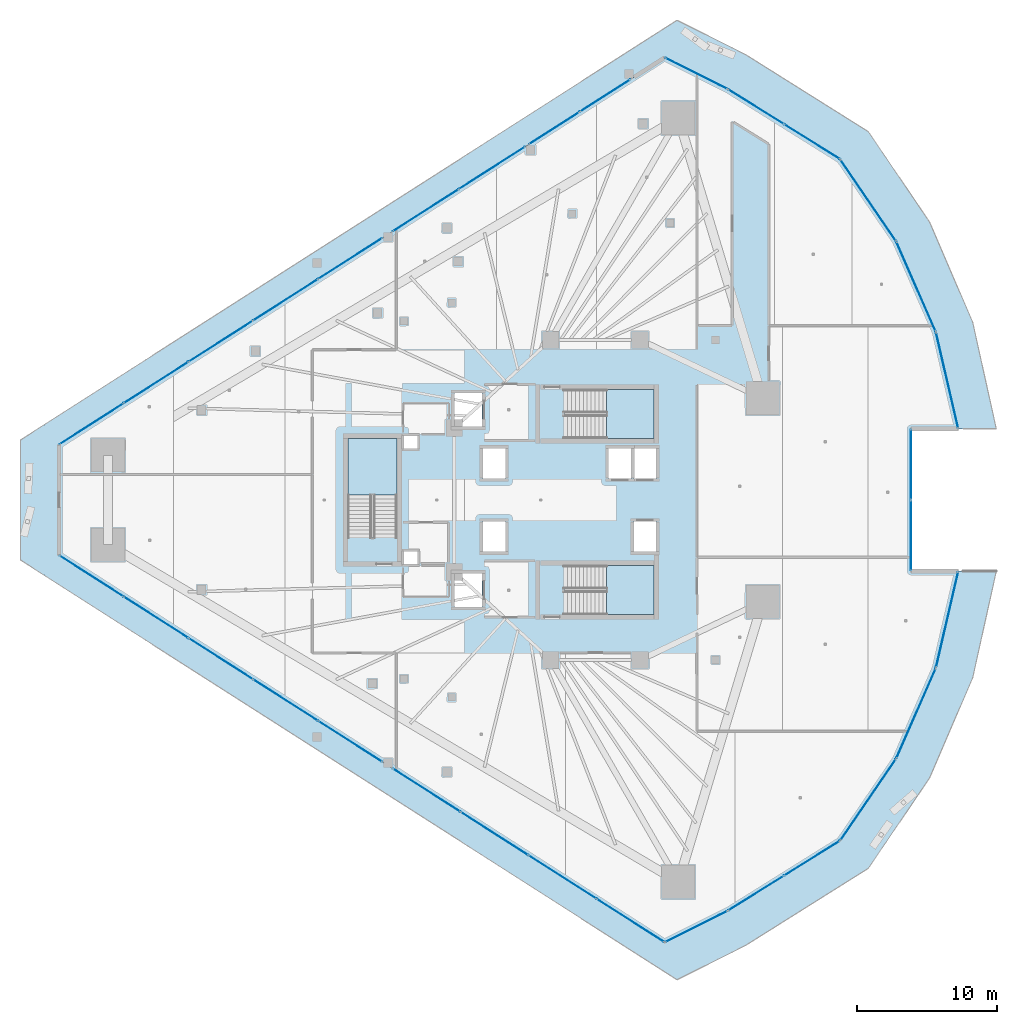
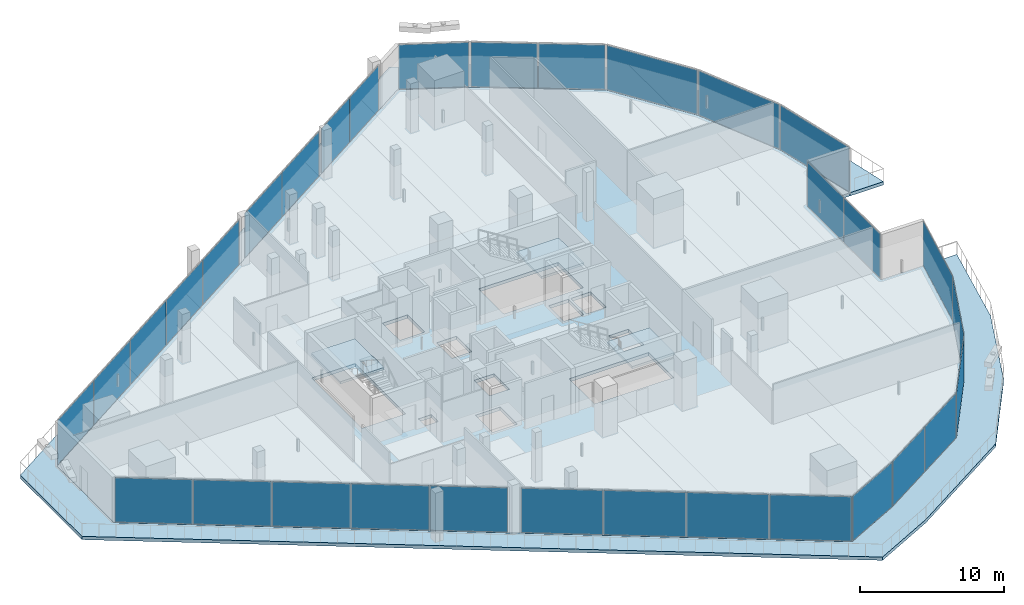
# One storey, part 28 of 45: 32 plates, 5 slabs, 19 elements without a shape of their own.
"""IFC4 building model written with IfcOpenShell, lengths in metres."""

from ifc_helpers import new_model, si_unit, direction, frame, origin, origin_2d, place, context, subcontext, project, spatial, polyline, rectangle, outline, extrude, material, layer, layer_set, type_object, element, aggregate, save


model = new_model("IFC4")

# Units and contexts
model_context = context("Model", 3, precision=1e-05, world=origin(), true_north=direction((0.0, 1.0)))
body_context = subcontext(model_context, "Body", "Model", "MODEL_VIEW")
ifc_project = project(units=[si_unit("LENGTHUNIT", "METRE"), si_unit("AREAUNIT", "SQUARE_METRE"), si_unit("VOLUMEUNIT", "CUBIC_METRE"), si_unit("PLANEANGLEUNIT", "RADIAN"), si_unit("MASSUNIT", "GRAM", prefix="KILO")], contexts=[model_context])

# Site, building, storey
site_placement = place(None, origin())
site = spatial("IfcSite", under=ifc_project, at=site_placement, CompositionType="ELEMENT")
building_placement = place(site_placement, origin())
building = spatial("IfcBuilding", under=site, at=building_placement, Name="Qorvath Tower", CompositionType="ELEMENT")
storey_placement = place(building_placement, frame((0.0, 0.0, 95.39990234375)))
storey = spatial("IfcBuildingStorey", under=building, at=storey_placement, Name="L21", CompositionType="ELEMENT", Elevation=95.39990234375)

# Curtain wall, plates
ifc_material_1 = material(Name="Anodised aluminium and triple low-E glass", Category="aluminium")
ifc_layer_1 = layer(ifc_material_1, 0.179931640625)
ifc_layer_set_1 = layer_set([ifc_layer_1], Name="CW-SYS-2")
curtain_wall_type = type_object("IfcCurtainWallType", Name="CW-SYS-2", PredefinedType="NOTDEFINED", material=ifc_layer_set_1)
curtain_wall_1_placement = place(storey_placement, origin())
curtain_wall_1 = element("IfcCurtainWall", 1, at=curtain_wall_1_placement, inside=storey, type_object=curtain_wall_type, Name="Curtain Wall CW-2 CW-T-L21-2.1", PredefinedType="NOTDEFINED")
ifc_material_2 = material(Name="Low-E triple insulated glass", Category="glass")
ifc_layer_2 = layer(ifc_material_2, 0.031982421875)
ifc_layer_set_2 = layer_set([ifc_layer_2], Name="CWP-GLZ-32")
plate_type = type_object("IfcPlateType", Name="CWP-GLZ-32", PredefinedType="CURTAIN_PANEL", material=ifc_layer_set_2)
plate_1_placement = place(storey_placement, frame((-56.46240234375, -5.447509765625, 0.06494140625), z_axis=(0.0, 0.0, 1.0), x_axis=(0.842606791309, -0.53852928912, 0.0)))
plate_1 = element("IfcPlate", 2, at=plate_1_placement, type_object=plate_type, Name="CW-2 panel 1.1", PredefinedType="CURTAIN_PANEL", context=body_context, shape_type="SweptSolid", body=[
    extrude(rectangle(XDim=5.402587890625, YDim=0.031982421875, at=origin_2d()), origin(), (0.0, 0.0, 1.0), 3.77001953125),
])
plate_2_placement = place(storey_placement, frame((-51.841796875, -8.400634765625, 0.06494140625), z_axis=(0.0, 0.0, 1.0), x_axis=(0.842606791309, -0.53852928912, 0.0)))
plate_2 = element("IfcPlate", 3, at=plate_2_placement, type_object=plate_type, Name="CW-2 panel 2.1", PredefinedType="CURTAIN_PANEL", context=body_context, shape_type="SweptSolid", body=[
    extrude(rectangle(XDim=5.43505859375, YDim=0.031982421875, at=origin_2d()), origin(), (0.0, 0.0, 1.0), 3.77001953125),
])
plate_3_placement = place(storey_placement, frame((-47.20751953125, -11.362548828125, 0.06494140625), z_axis=(0.0, 0.0, 1.0), x_axis=(0.842606791309, -0.53852928912, 0.0)))
plate_3 = element("IfcPlate", 4, at=plate_3_placement, type_object=plate_type, Name="CW-2 panel 3.1", PredefinedType="CURTAIN_PANEL", context=body_context, shape_type="SweptSolid", body=[
    extrude(rectangle(XDim=5.43505859375, YDim=0.031982421875, at=origin_2d()), origin(), (0.0, 0.0, 1.0), 3.77001953125),
])
plate_4_placement = place(storey_placement, frame((-42.572998046875, -14.324462890625, 0.06494140625), z_axis=(0.0, 0.0, 1.0), x_axis=(0.842606791309, -0.53852928912, 0.0)))
plate_4 = element("IfcPlate", 5, at=plate_4_placement, type_object=plate_type, Name="CW-2 panel 4.1", PredefinedType="CURTAIN_PANEL", context=body_context, shape_type="SweptSolid", body=[
    extrude(rectangle(XDim=5.43505859375, YDim=0.031982421875, at=origin_2d()), origin(), (0.0, 0.0, 1.0), 3.77001953125),
])
plate_5_placement = place(storey_placement, frame((-37.952392578125, -17.277587890625, 0.06494140625), z_axis=(0.0, 0.0, 1.0), x_axis=(0.842606791309, -0.53852928912, 0.0)))
plate_5 = element("IfcPlate", 6, at=plate_5_placement, type_object=plate_type, Name="CW-2 panel 5.1", PredefinedType="CURTAIN_PANEL", context=body_context, shape_type="SweptSolid", body=[
    extrude(rectangle(XDim=5.402587890625, YDim=0.031982421875, at=origin_2d()), origin(), (0.0, 0.0, 1.0), 3.77001953125),
])
aggregate(curtain_wall_1, [plate_1, plate_2, plate_3, plate_4, plate_5])

curtain_wall_2_placement = place(storey_placement, origin())
curtain_wall_2 = element("IfcCurtainWall", 7, at=curtain_wall_2_placement, inside=storey, type_object=curtain_wall_type, Name="Curtain Wall CW-2 CW-T-L21-2.2", PredefinedType="NOTDEFINED")
plate_6_placement = place(storey_placement, frame((-32.49462890625, -20.765869140625, 0.06494140625), z_axis=(0.0, 0.0, 1.0), x_axis=(0.842600838238, -0.538538603445, 0.0)))
plate_6 = element("IfcPlate", 8, at=plate_6_placement, type_object=plate_type, Name="CW-2 panel 1.1", PredefinedType="CURTAIN_PANEL", context=body_context, shape_type="SweptSolid", body=[
    extrude(rectangle(XDim=5.688232421875, YDim=0.031982421875, at=origin_2d()), origin(), (0.0, 0.0, 1.0), 3.77001953125),
])
plate_7_placement = place(storey_placement, frame((-27.63330078125, -23.872802734375, 0.06494140625), z_axis=(0.0, 0.0, 1.0), x_axis=(0.842600838238, -0.538538603445, 0.0)))
plate_7 = element("IfcPlate", 9, at=plate_7_placement, type_object=plate_type, Name="CW-2 panel 2.1", PredefinedType="CURTAIN_PANEL", context=body_context, shape_type="SweptSolid", body=[
    extrude(rectangle(XDim=5.720703125, YDim=0.031982421875, at=origin_2d()), origin(), (0.0, 0.0, 1.0), 3.77001953125),
])
plate_8_placement = place(storey_placement, frame((-22.75830078125, -26.98876953125, 0.06494140625), z_axis=(0.0, 0.0, 1.0), x_axis=(0.842600838238, -0.538538603445, 0.0)))
plate_8 = element("IfcPlate", 10, at=plate_8_placement, type_object=plate_type, Name="CW-2 panel 3.1", PredefinedType="CURTAIN_PANEL", context=body_context, shape_type="SweptSolid", body=[
    extrude(rectangle(XDim=5.720703125, YDim=0.031982421875, at=origin_2d()), origin(), (0.0, 0.0, 1.0), 3.77001953125),
])
plate_9_placement = place(storey_placement, frame((-17.89697265625, -30.095703125, 0.06494140625), z_axis=(0.0, 0.0, 1.0), x_axis=(0.842600838238, -0.538538603445, 0.0)))
plate_9 = element("IfcPlate", 11, at=plate_9_placement, type_object=plate_type, Name="CW-2 panel 4.1", PredefinedType="CURTAIN_PANEL", context=body_context, shape_type="SweptSolid", body=[
    extrude(rectangle(XDim=5.688232421875, YDim=0.031982421875, at=origin_2d()), origin(), (0.0, 0.0, 1.0), 3.77001953125),
])
aggregate(curtain_wall_2, [plate_6, plate_7, plate_8, plate_9])

# Curtain wall, plate
curtain_wall_3_placement = place(storey_placement, origin())
curtain_wall_3 = element("IfcCurtainWall", 12, at=curtain_wall_3_placement, inside=storey, type_object=curtain_wall_type, Name="Curtain Wall CW-2 CW-T-L21-3.1", PredefinedType="NOTDEFINED")
plate_10_placement = place(storey_placement, frame((-13.18408203125, -30.531494140625, 0.06494140625), z_axis=(0.0, 0.0, 1.0), x_axis=(0.894411371347, 0.447245233408, 0.0)))
plate_10 = element("IfcPlate", 13, at=plate_10_placement, type_object=plate_type, Name="CW-2 panel 1.1", PredefinedType="CURTAIN_PANEL", context=body_context, shape_type="SweptSolid", body=[
    extrude(rectangle(XDim=4.92724609375, YDim=0.031982421875, at=origin_2d()), origin(), (0.0, 0.0, 1.0), 3.77001953125),
])
aggregate(curtain_wall_3, [plate_10])

# Curtain wall, plates
curtain_wall_4_placement = place(storey_placement, origin())
curtain_wall_4 = element("IfcCurtainWall", 14, at=curtain_wall_4_placement, inside=storey, type_object=curtain_wall_type, Name="Curtain Wall CW-2 CW-T-L21-4.1", PredefinedType="NOTDEFINED")
plate_11_placement = place(storey_placement, frame((-8.898681640625, -28.136962890625, 0.06494140625), z_axis=(0.0, 0.0, 1.0), x_axis=(0.848250097573, 0.529595857203, 0.0)))
plate_11 = element("IfcPlate", 15, at=plate_11_placement, type_object=plate_type, Name="CW-2 panel 1.1", PredefinedType="CURTAIN_PANEL", context=body_context, shape_type="SweptSolid", body=[
    extrude(rectangle(XDim=4.641845703125, YDim=0.031982421875, at=origin_2d()), origin(), (0.0, 0.0, 1.0), 3.77001953125),
])
plate_12_placement = place(storey_placement, frame((-4.906005859375, -25.644287109375, 0.06494140625), z_axis=(0.0, 0.0, 1.0), x_axis=(0.848250097573, 0.529595857203, 0.0)))
plate_12 = element("IfcPlate", 16, at=plate_12_placement, type_object=plate_type, Name="CW-2 panel 2.1", PredefinedType="CURTAIN_PANEL", context=body_context, shape_type="SweptSolid", body=[
    extrude(rectangle(XDim=4.641845703125, YDim=0.031982421875, at=origin_2d()), origin(), (0.0, 0.0, 1.0), 3.77001953125),
])
aggregate(curtain_wall_4, [plate_11, plate_12])

# Curtain wall, plate
curtain_wall_5_placement = place(storey_placement, origin())
curtain_wall_5 = element("IfcCurtainWall", 17, at=curtain_wall_5_placement, inside=storey, type_object=curtain_wall_type, Name="Curtain Wall CW-2 CW-T-L21-5.1", PredefinedType="NOTDEFINED")
plate_13_placement = place(storey_placement, frame((-0.879638671875, -21.449462890625, 0.06494140625), z_axis=(0.0, 0.0, 1.0), x_axis=(0.564061676895, 0.825732659314, 0.0)))
plate_13 = element("IfcPlate", 18, at=plate_13_placement, type_object=plate_type, Name="CW-2 panel 1.1", PredefinedType="CURTAIN_PANEL", context=body_context, shape_type="SweptSolid", body=[
    extrude(rectangle(XDim=6.9697265625, YDim=0.031982421875, at=origin_2d()), origin(), (0.0, 0.0, 1.0), 3.77001953125),
])
aggregate(curtain_wall_5, [plate_13])

curtain_wall_6_placement = place(storey_placement, origin())
curtain_wall_6 = element("IfcCurtainWall", 19, at=curtain_wall_6_placement, inside=storey, type_object=curtain_wall_type, Name="Curtain Wall CW-2 CW-T-L21-6.1", PredefinedType="NOTDEFINED")
plate_14_placement = place(storey_placement, frame((2.5478515625, -15.266845703125, 0.06494140625), z_axis=(0.0, 0.0, 1.0), x_axis=(0.401477051262, 0.915869083062, 0.0)))
plate_14 = element("IfcPlate", 20, at=plate_14_placement, type_object=plate_type, Name="CW-2 panel 1.1", PredefinedType="CURTAIN_PANEL", context=body_context, shape_type="SweptSolid", body=[
    extrude(rectangle(XDim=6.969970703125, YDim=0.031982421875, at=origin_2d()), origin(), (0.0, 0.0, 1.0), 3.77001953125),
])
aggregate(curtain_wall_6, [plate_14])

curtain_wall_7_placement = place(storey_placement, origin())
curtain_wall_7 = element("IfcCurtainWall", 21, at=curtain_wall_7_placement, inside=storey, type_object=curtain_wall_type, Name="Curtain Wall CW-2 CW-T-L21-7.1", PredefinedType="NOTDEFINED")
plate_15_placement = place(storey_placement, frame((4.77197265625, -8.556640625, 0.06494140625), z_axis=(0.0, 0.0, 1.0), x_axis=(0.225034377346, 0.974350824402, 0.0)))
plate_15 = element("IfcPlate", 22, at=plate_15_placement, type_object=plate_type, Name="CW-2 panel 1.1", PredefinedType="CURTAIN_PANEL", context=body_context, shape_type="SweptSolid", body=[
    extrude(rectangle(XDim=6.9697265625, YDim=0.031982421875, at=origin_2d()), origin(), (0.0, 0.0, 1.0), 3.77001953125),
])
aggregate(curtain_wall_7, [plate_15])

# Curtain wall, plates
curtain_wall_8_placement = place(storey_placement, origin())
curtain_wall_8 = element("IfcCurtainWall", 23, at=curtain_wall_8_placement, inside=storey, type_object=curtain_wall_type, Name="Curtain Wall CW-2 CW-T-L21-9.1", PredefinedType="NOTDEFINED")
plate_16_placement = place(storey_placement, frame((2.17236328125, -2.53271484375, 0.06494140625), z_axis=(0.0, 0.0, 1.0), x_axis=(0.0, 1.0, 0.0)))
plate_16 = element("IfcPlate", 24, at=plate_16_placement, type_object=plate_type, Name="CW-2 panel 1.1", PredefinedType="CURTAIN_PANEL", context=body_context, shape_type="SweptSolid", body=[
    extrude(rectangle(XDim=5.000244140625, YDim=0.031982421875, at=origin_2d()), origin(), (0.0, 0.0, 1.0), 3.77001953125),
])
plate_17_placement = place(storey_placement, frame((2.17236328125, 2.53271484375, 0.06494140625), z_axis=(0.0, 0.0, 1.0), x_axis=(0.0, 1.0, 0.0)))
plate_17 = element("IfcPlate", 25, at=plate_17_placement, type_object=plate_type, Name="CW-2 panel 2.1", PredefinedType="CURTAIN_PANEL", context=body_context, shape_type="SweptSolid", body=[
    extrude(rectangle(XDim=5.000244140625, YDim=0.031982421875, at=origin_2d()), origin(), (0.0, 0.0, 1.0), 3.77001953125),
])
aggregate(curtain_wall_8, [plate_16, plate_17])

# Curtain wall, plate
curtain_wall_9_placement = place(storey_placement, origin())
curtain_wall_9 = element("IfcCurtainWall", 26, at=curtain_wall_9_placement, inside=storey, type_object=curtain_wall_type, Name="Curtain Wall CW-2 CW-T-L21-11.1", PredefinedType="NOTDEFINED")
plate_18_placement = place(storey_placement, frame((4.77197265625, 8.556640625, 0.06494140625), z_axis=(0.0, 0.0, 1.0), x_axis=(-0.225034377346, 0.974350824402, 0.0)))
plate_18 = element("IfcPlate", 27, at=plate_18_placement, type_object=plate_type, Name="CW-2 panel 1.1", PredefinedType="CURTAIN_PANEL", context=body_context, shape_type="SweptSolid", body=[
    extrude(rectangle(XDim=6.9697265625, YDim=0.031982421875, at=origin_2d()), origin(), (0.0, 0.0, 1.0), 3.77001953125),
])
aggregate(curtain_wall_9, [plate_18])

curtain_wall_10_placement = place(storey_placement, origin())
curtain_wall_10 = element("IfcCurtainWall", 28, at=curtain_wall_10_placement, inside=storey, type_object=curtain_wall_type, Name="Curtain Wall CW-2 CW-T-L21-12.1", PredefinedType="NOTDEFINED")
plate_19_placement = place(storey_placement, frame((2.5478515625, 15.266845703125, 0.06494140625), z_axis=(0.0, 0.0, 1.0), x_axis=(-0.401477051262, 0.915869083062, 0.0)))
plate_19 = element("IfcPlate", 29, at=plate_19_placement, type_object=plate_type, Name="CW-2 panel 1.1", PredefinedType="CURTAIN_PANEL", context=body_context, shape_type="SweptSolid", body=[
    extrude(rectangle(XDim=6.969970703125, YDim=0.031982421875, at=origin_2d()), origin(), (0.0, 0.0, 1.0), 3.77001953125),
])
aggregate(curtain_wall_10, [plate_19])

curtain_wall_11_placement = place(storey_placement, origin())
curtain_wall_11 = element("IfcCurtainWall", 30, at=curtain_wall_11_placement, inside=storey, type_object=curtain_wall_type, Name="Curtain Wall CW-2 CW-T-L21-13.1", PredefinedType="NOTDEFINED")
plate_20_placement = place(storey_placement, frame((-0.879638671875, 21.449462890625, 0.06494140625), z_axis=(0.0, 0.0, 1.0), x_axis=(-0.564061676895, 0.825732659314, 0.0)))
plate_20 = element("IfcPlate", 31, at=plate_20_placement, type_object=plate_type, Name="CW-2 panel 1.1", PredefinedType="CURTAIN_PANEL", context=body_context, shape_type="SweptSolid", body=[
    extrude(rectangle(XDim=6.9697265625, YDim=0.031982421875, at=origin_2d()), origin(), (0.0, 0.0, 1.0), 3.77001953125),
])
aggregate(curtain_wall_11, [plate_20])

# Curtain wall, plates
curtain_wall_12_placement = place(storey_placement, origin())
curtain_wall_12 = element("IfcCurtainWall", 32, at=curtain_wall_12_placement, inside=storey, type_object=curtain_wall_type, Name="Curtain Wall CW-2 CW-T-L21-14.1", PredefinedType="NOTDEFINED")
plate_21_placement = place(storey_placement, frame((-4.906005859375, 25.644287109375, 0.06494140625), z_axis=(0.0, 0.0, 1.0), x_axis=(-0.848250097573, 0.529595857203, 0.0)))
plate_21 = element("IfcPlate", 33, at=plate_21_placement, type_object=plate_type, Name="CW-2 panel 1.1", PredefinedType="CURTAIN_PANEL", context=body_context, shape_type="SweptSolid", body=[
    extrude(rectangle(XDim=4.641845703125, YDim=0.031982421875, at=origin_2d()), origin(), (0.0, 0.0, 1.0), 3.77001953125),
])
plate_22_placement = place(storey_placement, frame((-8.898681640625, 28.136962890625, 0.06494140625), z_axis=(0.0, 0.0, 1.0), x_axis=(-0.848250097573, 0.529595857203, 0.0)))
plate_22 = element("IfcPlate", 34, at=plate_22_placement, type_object=plate_type, Name="CW-2 panel 2.1", PredefinedType="CURTAIN_PANEL", context=body_context, shape_type="SweptSolid", body=[
    extrude(rectangle(XDim=4.641845703125, YDim=0.031982421875, at=origin_2d()), origin(), (0.0, 0.0, 1.0), 3.77001953125),
])
aggregate(curtain_wall_12, [plate_21, plate_22])

# Curtain wall, plate
curtain_wall_13_placement = place(storey_placement, origin())
curtain_wall_13 = element("IfcCurtainWall", 35, at=curtain_wall_13_placement, inside=storey, type_object=curtain_wall_type, Name="Curtain Wall CW-2 CW-T-L21-15.1", PredefinedType="NOTDEFINED")
plate_23_placement = place(storey_placement, frame((-13.18408203125, 30.531494140625, 0.06494140625), z_axis=(0.0, 0.0, 1.0), x_axis=(-0.894411371347, 0.447245233408, 0.0)))
plate_23 = element("IfcPlate", 36, at=plate_23_placement, type_object=plate_type, Name="CW-2 panel 1.1", PredefinedType="CURTAIN_PANEL", context=body_context, shape_type="SweptSolid", body=[
    extrude(rectangle(XDim=4.92724609375, YDim=0.031982421875, at=origin_2d()), origin(), (0.0, 0.0, 1.0), 3.77001953125),
])
aggregate(curtain_wall_13, [plate_23])

# Curtain wall, plates
curtain_wall_14_placement = place(storey_placement, origin())
curtain_wall_14 = element("IfcCurtainWall", 37, at=curtain_wall_14_placement, inside=storey, type_object=curtain_wall_type, Name="Curtain Wall CW-2 CW-T-L21-16.2", PredefinedType="NOTDEFINED")
plate_24_placement = place(storey_placement, frame((-19.696044921875, 28.94580078125, 0.06494140625), z_axis=(0.0, 0.0, 1.0), x_axis=(-0.842599952158, -0.538539989809, 0.0)))
plate_24 = element("IfcPlate", 38, at=plate_24_placement, type_object=plate_type, Name="CW-2 panel 1.1", PredefinedType="CURTAIN_PANEL", context=body_context, shape_type="SweptSolid", body=[
    extrude(rectangle(XDim=4.267333984375, YDim=0.031982421875, at=origin_2d()), origin(), (0.0, 0.0, 1.0), 3.77001953125),
])
plate_25_placement = place(storey_placement, frame((-23.346435546875, 26.61279296875, 0.06494140625), z_axis=(0.0, 0.0, 1.0), x_axis=(-0.842599952158, -0.538539989809, 0.0)))
plate_25 = element("IfcPlate", 39, at=plate_25_placement, type_object=plate_type, Name="CW-2 panel 2.1", PredefinedType="CURTAIN_PANEL", context=body_context, shape_type="SweptSolid", body=[
    extrude(rectangle(XDim=4.267333984375, YDim=0.031982421875, at=origin_2d()), origin(), (0.0, 0.0, 1.0), 3.77001953125),
])
aggregate(curtain_wall_14, [plate_24, plate_25])

curtain_wall_15_placement = place(storey_placement, origin())
curtain_wall_15 = element("IfcCurtainWall", 40, at=curtain_wall_15_placement, inside=storey, type_object=curtain_wall_type, Name="Curtain Wall CW-2 CW-T-L21-16.3", PredefinedType="NOTDEFINED")
plate_26_placement = place(storey_placement, frame((-27.805908203125, 23.7626953125, 0.06494140625), z_axis=(0.0, 0.0, 1.0), x_axis=(-0.842599497749, -0.538540700777, 0.0)))
plate_26 = element("IfcPlate", 41, at=plate_26_placement, type_object=plate_type, Name="CW-2 panel 1.1", PredefinedType="CURTAIN_PANEL", context=body_context, shape_type="SweptSolid", body=[
    extrude(rectangle(XDim=5.5625, YDim=0.031982421875, at=origin_2d()), origin(), (0.0, 0.0, 1.0), 3.77001953125),
])
plate_27_placement = place(storey_placement, frame((-32.547607421875, 20.73193359375, 0.06494140625), z_axis=(0.0, 0.0, 1.0), x_axis=(-0.842599497749, -0.538540700777, 0.0)))
plate_27 = element("IfcPlate", 42, at=plate_27_placement, type_object=plate_type, Name="CW-2 panel 2.1", PredefinedType="CURTAIN_PANEL", context=body_context, shape_type="SweptSolid", body=[
    extrude(rectangle(XDim=5.5625, YDim=0.031982421875, at=origin_2d()), origin(), (0.0, 0.0, 1.0), 3.77001953125),
])
aggregate(curtain_wall_15, [plate_26, plate_27])

curtain_wall_16_placement = place(storey_placement, origin())
curtain_wall_16 = element("IfcCurtainWall", 43, at=curtain_wall_16_placement, inside=storey, type_object=curtain_wall_type, Name="Curtain Wall CW-2 CW-T-L21-16.4", PredefinedType="NOTDEFINED")
plate_28_placement = place(storey_placement, frame((-37.952392578125, 17.277587890625, 0.06494140625), z_axis=(0.0, 0.0, 1.0), x_axis=(-0.842606791309, -0.53852928912, 0.0)))
plate_28 = element("IfcPlate", 44, at=plate_28_placement, type_object=plate_type, Name="CW-2 panel 1.1", PredefinedType="CURTAIN_PANEL", context=body_context, shape_type="SweptSolid", body=[
    extrude(rectangle(XDim=5.402587890625, YDim=0.031982421875, at=origin_2d()), origin(), (0.0, 0.0, 1.0), 3.77001953125),
])
plate_29_placement = place(storey_placement, frame((-42.572998046875, 14.324462890625, 0.06494140625), z_axis=(0.0, 0.0, 1.0), x_axis=(-0.842606791309, -0.53852928912, 0.0)))
plate_29 = element("IfcPlate", 45, at=plate_29_placement, type_object=plate_type, Name="CW-2 panel 2.1", PredefinedType="CURTAIN_PANEL", context=body_context, shape_type="SweptSolid", body=[
    extrude(rectangle(XDim=5.43505859375, YDim=0.031982421875, at=origin_2d()), origin(), (0.0, 0.0, 1.0), 3.77001953125),
])
plate_30_placement = place(storey_placement, frame((-47.20751953125, 11.362548828125, 0.06494140625), z_axis=(0.0, 0.0, 1.0), x_axis=(-0.842606791309, -0.53852928912, 0.0)))
plate_30 = element("IfcPlate", 46, at=plate_30_placement, type_object=plate_type, Name="CW-2 panel 3.1", PredefinedType="CURTAIN_PANEL", context=body_context, shape_type="SweptSolid", body=[
    extrude(rectangle(XDim=5.43505859375, YDim=0.031982421875, at=origin_2d()), origin(), (0.0, 0.0, 1.0), 3.77001953125),
])
plate_31_placement = place(storey_placement, frame((-51.841796875, 8.400634765625, 0.06494140625), z_axis=(0.0, 0.0, 1.0), x_axis=(-0.842606791309, -0.53852928912, 0.0)))
plate_31 = element("IfcPlate", 47, at=plate_31_placement, type_object=plate_type, Name="CW-2 panel 4.1", PredefinedType="CURTAIN_PANEL", context=body_context, shape_type="SweptSolid", body=[
    extrude(rectangle(XDim=5.43505859375, YDim=0.031982421875, at=origin_2d()), origin(), (0.0, 0.0, 1.0), 3.77001953125),
])
plate_32_placement = place(storey_placement, frame((-56.46240234375, 5.447509765625, 0.06494140625), z_axis=(0.0, 0.0, 1.0), x_axis=(-0.842606791309, -0.53852928912, 0.0)))
plate_32 = element("IfcPlate", 48, at=plate_32_placement, type_object=plate_type, Name="CW-2 panel 5.1", PredefinedType="CURTAIN_PANEL", context=body_context, shape_type="SweptSolid", body=[
    extrude(rectangle(XDim=5.402587890625, YDim=0.031982421875, at=origin_2d()), origin(), (0.0, 0.0, 1.0), 3.77001953125),
])
aggregate(curtain_wall_16, [plate_28, plate_29, plate_30, plate_31, plate_32])

# Stair, slab
ifc_material_3 = material(Name="Concrete C50/60", Category="concrete")
stair_type = type_object("IfcStairType", Name="ST-H420", PredefinedType="HALF_TURN_STAIR", material=ifc_material_3)
stair_1_placement = place(storey_placement, origin())
stair_1 = element("IfcStair", 49, at=stair_1_placement, inside=storey, type_object=stair_type, Name="L21 Tower Exit Stair 1", PredefinedType="HALF_TURN_STAIR")
ifc_material_4 = material(Name="Concrete C50/60", Category="concrete")
ifc_layer_3 = layer(ifc_material_4, 0.199951171875)
ifc_layer_set_3 = layer_set([ifc_layer_3], Name="SL-LND-200")
slab_type_1 = type_object("IfcSlabType", Name="SL-LND-200", PredefinedType="LANDING", material=ifc_layer_set_3)
slab_1_placement = place(storey_placement, frame((0.0, 0.0, 1.900146484375)))
slab_1 = element("IfcSlab", 50, at=slab_1_placement, type_object=slab_type_1, Name="TS1 landing 1", PredefinedType="LANDING", context=body_context, shape_type="SweptSolid", body=[
    extrude(outline(polyline([(-19.590087890625, 4.39990234375), (-16.199951171875, 4.39990234375), (-16.199951171875, 7.909912109375), (-19.590087890625, 7.909912109375), (-19.590087890625, 4.39990234375)])), origin(), (0.0, 0.0, 1.0), 0.199951171875),
])
aggregate(stair_1, [slab_1])

stair_2_placement = place(storey_placement, origin())
stair_2 = element("IfcStair", 51, at=stair_2_placement, inside=storey, type_object=stair_type, Name="L21 Tower Exit Stair 2", PredefinedType="HALF_TURN_STAIR")
slab_2_placement = place(storey_placement, frame((0.0, 0.0, 1.900146484375)))
slab_2 = element("IfcSlab", 52, at=slab_2_placement, type_object=slab_type_1, Name="TS2 landing 1", PredefinedType="LANDING", context=body_context, shape_type="SweptSolid", body=[
    extrude(outline(polyline([(-19.590087890625, -8.199951171875), (-16.199951171875, -8.199951171875), (-16.199951171875, -4.68994140625), (-19.590087890625, -4.68994140625), (-19.590087890625, -8.199951171875)])), origin(), (0.0, 0.0, 1.0), 0.199951171875),
])
aggregate(stair_2, [slab_2])

stair_3_placement = place(storey_placement, origin())
stair_3 = element("IfcStair", 53, at=stair_3_placement, inside=storey, type_object=stair_type, Name="L21 Tower Exit Stair 3", PredefinedType="HALF_TURN_STAIR")
slab_3_placement = place(storey_placement, frame((0.0, 0.0, 1.900146484375)))
slab_3 = element("IfcSlab", 54, at=slab_3_placement, type_object=slab_type_1, Name="TS3 landing 1", PredefinedType="LANDING", context=body_context, shape_type="SweptSolid", body=[
    extrude(outline(polyline([(-34.60009765625, 0.360107421875), (-34.60009765625, 4.39990234375), (-38.110107421875, 4.39990234375), (-38.110107421875, 0.360107421875), (-34.60009765625, 0.360107421875)])), origin(), (0.0, 0.0, 1.0), 0.199951171875),
])
aggregate(stair_3, [slab_3])

# Slabs
ifc_material_5 = material(Name="Precast concrete C45/55", Category="concrete")
ifc_layer_4 = layer(ifc_material_5, 0.280029296875)
ifc_layer_set_4 = layer_set([ifc_layer_4], Name="SL-LOG-280")
slab_type_2 = type_object("IfcSlabType", Name="SL-LOG-280", PredefinedType="FLOOR", material=ifc_layer_set_4)
slab_4_placement = place(storey_placement, frame((0.0, 0.0, -0.27978515625)))
element("IfcSlab", 55, at=slab_4_placement, inside=storey, type_object=slab_type_2, Name="Tower L21 Perimeter Loggia and Terrace Slab", PredefinedType="FLOOR", context=body_context, shape_type="SweptSolid", body=[
    extrude(outline(polyline([(5.57080078125, -5.09765625), (3.97314453125, -12.015380859375), (1.12255859375, -18.51806640625), (-2.882080078125, -24.380615234375), (-10.922607421875, -29.400634765625), (-15.44580078125, -31.662353515625), (-58.793212890625, -3.957763671875), (-58.793212890625, 3.957763671875), (-15.44580078125, 31.662353515625), (-10.922607421875, 29.400634765625), (-2.882080078125, 24.380615234375), (1.12255859375, 18.51806640625), (3.97314453125, 12.015380859375), (5.57080078125, 5.09765625), (8.286865234375, 5.09765625), (6.60009765625, 12.71923828125), (3.5126953125, 19.888916015625), (-0.864990234375, 26.351806640625), (-9.652099609375, 31.87841796875), (-14.556396484375, 34.33056640625), (-61.556640625, 4.291259765625), (-61.556640625, -4.291259765625), (-14.556396484375, -34.33056640625), (-9.652099609375, -31.87841796875), (-0.864990234375, -26.351806640625), (3.5126953125, -19.888916015625), (6.60009765625, -12.71923828125), (8.286865234375, -5.09765625), (5.57080078125, -5.09765625)])), origin(), (0.0, 0.0, 1.0), 0.27978515625),
])
ifc_material_6 = material(Name="Concrete C45/55", Category="concrete")
ifc_layer_5 = layer(ifc_material_6, 0.280029296875)
ifc_layer_set_5 = layer_set([ifc_layer_5], Name="SL-TYP-280")
slab_type_3 = type_object("IfcSlabType", Name="SL-TYP-280", PredefinedType="FLOOR", material=ifc_layer_set_5)
slab_5_placement = place(storey_placement, frame((0.0, 0.0, -0.27978515625)))
element("IfcSlab", 56, at=slab_5_placement, inside=storey, type_object=slab_type_3, Name="Tower L21 Interior Floor Slab", PredefinedType="FLOOR", context=body_context, shape_type="SweptSolid", body=[
    extrude(outline(polyline([(-58.793212890625, 3.957763671875), (-58.793212890625, -3.957763671875), (-15.44580078125, -31.662353515625), (-10.922607421875, -29.400634765625), (-2.882080078125, -24.380615234375), (1.12255859375, -18.51806640625), (3.97314453125, -12.015380859375), (5.57080078125, -5.09765625), (2.17236328125, -5.09765625), (2.17236328125, 5.09765625), (5.57080078125, 5.09765625), (3.97314453125, 12.015380859375), (1.12255859375, 18.51806640625), (-2.882080078125, 24.380615234375), (-10.922607421875, 29.400634765625), (-15.44580078125, 31.662353515625), (-58.793212890625, 3.957763671875)]), holes=[polyline([(-17.64990234375, -3.699951171875), (-17.64990234375, -1.550048828125), (-16.050048828125, -1.550048828125), (-16.050048828125, -3.699951171875), (-17.64990234375, -3.699951171875)]), polyline([(-17.64990234375, 1.550048828125), (-17.64990234375, 3.699951171875), (-16.050048828125, 3.699951171875), (-16.050048828125, 1.550048828125), (-17.64990234375, 1.550048828125)]), polyline([(-16.2451171875, -8.199951171875), (-22.625, -8.199951171875), (-22.625, -4.68994140625), (-16.2451171875, -4.68994140625), (-16.2451171875, -8.199951171875)]), polyline([(-22.625, 4.39990234375), (-22.625, 7.909912109375), (-16.2451171875, 7.909912109375), (-16.2451171875, 4.39990234375), (-22.625, 4.39990234375)]), polyline([(-17.85009765625, 1.550048828125), (-19.449951171875, 1.550048828125), (-19.449951171875, 3.699951171875), (-17.85009765625, 3.699951171875), (-17.85009765625, 1.550048828125)]), polyline([(-28.449951171875, -3.699951171875), (-28.449951171875, -1.550048828125), (-26.85009765625, -1.550048828125), (-26.85009765625, -3.699951171875), (-28.449951171875, -3.699951171875)]), polyline([(-26.85009765625, 1.550048828125), (-28.449951171875, 1.550048828125), (-28.449951171875, 3.699951171875), (-26.85009765625, 3.699951171875), (-26.85009765625, 1.550048828125)]), polyline([(-28.5, -7.64990234375), (-30.5, -7.64990234375), (-30.5, -5.25), (-28.5, -5.25), (-28.5, -7.64990234375)]), polyline([(-30.5, 5.25), (-30.5, 7.64990234375), (-28.5, 7.64990234375), (-28.5, 5.25), (-30.5, 5.25)]), polyline([(-34.14990234375, -4.6201171875), (-34.14990234375, -3.64990234375), (-33.10009765625, -3.64990234375), (-33.10009765625, -4.6201171875), (-34.14990234375, -4.6201171875)]), polyline([(-34.14990234375, 3.64990234375), (-34.14990234375, 4.6201171875), (-33.10009765625, 4.6201171875), (-33.10009765625, 3.64990234375), (-34.14990234375, 3.64990234375)]), polyline([(-34.60009765625, -2.675048828125), (-38.110107421875, -2.675048828125), (-38.110107421875, 4.35498046875), (-34.60009765625, 4.35498046875), (-34.60009765625, -2.675048828125)])]), origin(), (0.0, 0.0, 1.0), 0.27978515625),
])

save(model, "model.ifc")
